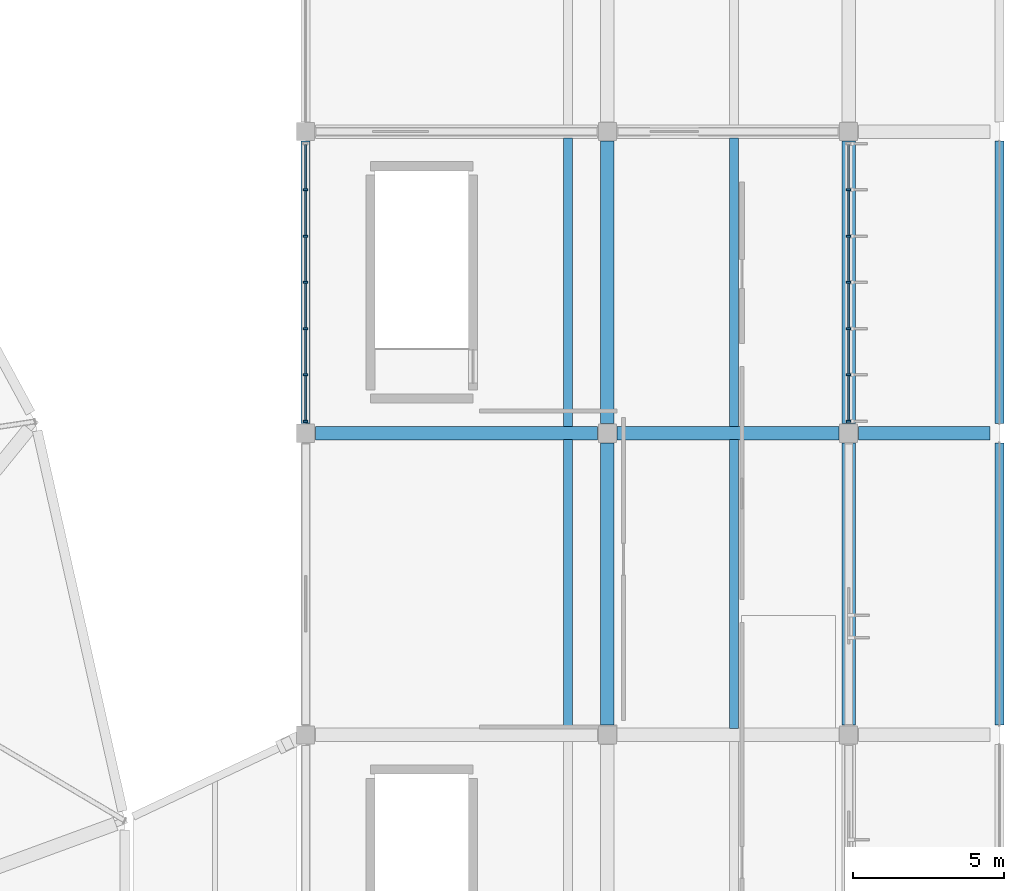
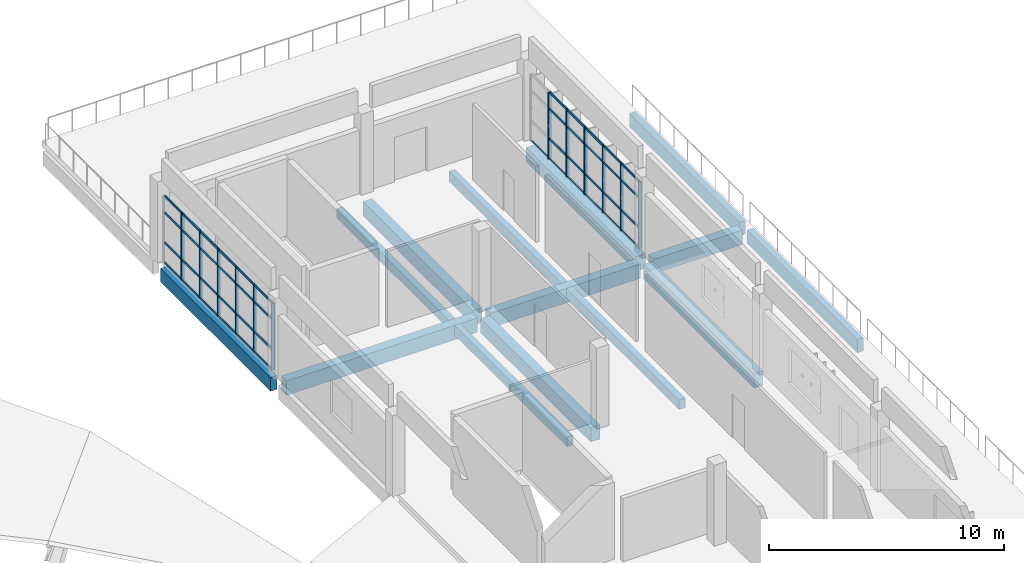
# One storey, part 13 of 39: 57 members, 14 beams, 2 elements without a shape of their own.
"""IFC4 building model written with IfcOpenShell, lengths in metres."""

from ifc_helpers import new_model, si_unit, direction, frame, origin, origin_2d, place, context, subcontext, project, spatial, rectangle, extrude, material, layer, layer_set, material_profile, profile_set, type_object, element, aggregate, save


model = new_model("IFC4")

# Units and contexts
model_context = context("Model", 3, precision=1e-05, world=origin(), true_north=direction((0.0, 1.0)))
body_context = subcontext(model_context, "Body", "Model", "MODEL_VIEW")
ifc_project = project(units=[si_unit("LENGTHUNIT", "METRE"), si_unit("AREAUNIT", "SQUARE_METRE"), si_unit("VOLUMEUNIT", "CUBIC_METRE"), si_unit("PLANEANGLEUNIT", "RADIAN"), si_unit("MASSUNIT", "GRAM", prefix="KILO")], contexts=[model_context])

# Site, building, storey
site_placement = place(None, origin())
site = spatial("IfcSite", under=ifc_project, at=site_placement, CompositionType="ELEMENT")
building_placement = place(site_placement, origin())
building = spatial("IfcBuilding", under=site, at=building_placement, Name="Corvandel Quay Wholesale Market", CompositionType="ELEMENT")
storey_placement = place(building_placement, frame((0.0, 0.0, 15.0)))
storey = spatial("IfcBuildingStorey", under=building, at=storey_placement, Name="L03", CompositionType="ELEMENT", Elevation=15.0)

# Curtain wall, members
ifc_material_1 = material(Name="Bronze anodised aluminium and low-E insulated glazing", Category="aluminium")
ifc_layer_1 = layer(ifc_material_1, 0.14990234375)
ifc_layer_set_1 = layer_set([ifc_layer_1], Name="Bronze anodised aluminium and low-E insulated glazing")
curtain_wall_type_1 = type_object("IfcCurtainWallType", Name="Stick Curtain Wall System CW20 H4800", PredefinedType="NOTDEFINED", material=ifc_layer_set_1)
curtain_wall_1_placement = place(storey_placement, origin())
curtain_wall_1 = element("IfcCurtainWall", 1, at=curtain_wall_1_placement, inside=storey, type_object=curtain_wall_type_1, Name="Curtain Wall CW-0166", PredefinedType="NOTDEFINED")
ifc_material_2 = material(Name="Anodised aluminium 6063-T6", Category="aluminium")
ifc_material_profile_1 = material_profile(ifc_material_2, rectangle(XDim=0.06494140625, YDim=0.14990234375, at=origin_2d()), Name="ALU-MUL-65x150")
ifc_profile_set_1 = profile_set([ifc_material_profile_1], Name="Anodised aluminium 6063-T6")
member_type_1 = type_object("IfcMemberType", Name="Curtain Wall Mullion ML02 65x150", PredefinedType="MULLION", material=ifc_profile_set_1)
member_1_placement = place(storey_placement, frame((238.0, 80.39990234375, 0.0), z_axis=(0.0, 0.0, 1.0), x_axis=(0.0, 1.0, 0.0)))
member_1 = element("IfcMember", 2, at=member_1_placement, type_object=member_type_1, Name="Mullion CW-0166-M00", PredefinedType="MULLION", context=body_context, shape_type="SweptSolid", body=[
    extrude(rectangle(XDim=0.06494140625, YDim=0.14990234375, at=origin_2d()), origin(), (0.0, 0.0, 1.0), 3.449951171875),
])
member_2_placement = place(storey_placement, frame((238.0, 81.933349609375, 0.0), z_axis=(0.0, 0.0, 1.0), x_axis=(0.0, 1.0, 0.0)))
member_2 = element("IfcMember", 3, at=member_2_placement, type_object=member_type_1, Name="Mullion CW-0166-M01", PredefinedType="MULLION", context=body_context, shape_type="SweptSolid", body=[
    extrude(rectangle(XDim=0.06494140625, YDim=0.14990234375, at=origin_2d()), origin(), (0.0, 0.0, 1.0), 3.449951171875),
])
member_3_placement = place(storey_placement, frame((238.0, 83.466796875, 0.0), z_axis=(0.0, 0.0, 1.0), x_axis=(0.0, 1.0, 0.0)))
member_3 = element("IfcMember", 4, at=member_3_placement, type_object=member_type_1, Name="Mullion CW-0166-M02", PredefinedType="MULLION", context=body_context, shape_type="SweptSolid", body=[
    extrude(rectangle(XDim=0.06494140625, YDim=0.14990234375, at=origin_2d()), origin(), (0.0, 0.0, 1.0), 3.449951171875),
])
member_4_placement = place(storey_placement, frame((238.0, 85.0, 0.0), z_axis=(0.0, 0.0, 1.0), x_axis=(0.0, 1.0, 0.0)))
member_4 = element("IfcMember", 5, at=member_4_placement, type_object=member_type_1, Name="Mullion CW-0166-M03", PredefinedType="MULLION", context=body_context, shape_type="SweptSolid", body=[
    extrude(rectangle(XDim=0.06494140625, YDim=0.14990234375, at=origin_2d()), origin(), (0.0, 0.0, 1.0), 3.449951171875),
])
member_5_placement = place(storey_placement, frame((238.0, 86.533203125, 0.0), z_axis=(0.0, 0.0, 1.0), x_axis=(0.0, 1.0, 0.0)))
member_5 = element("IfcMember", 6, at=member_5_placement, type_object=member_type_1, Name="Mullion CW-0166-M04", PredefinedType="MULLION", context=body_context, shape_type="SweptSolid", body=[
    extrude(rectangle(XDim=0.06494140625, YDim=0.14990234375, at=origin_2d()), origin(), (0.0, 0.0, 1.0), 3.449951171875),
])
member_6_placement = place(storey_placement, frame((238.0, 88.066650390625, 0.0), z_axis=(0.0, 0.0, 1.0), x_axis=(0.0, 1.0, 0.0)))
member_6 = element("IfcMember", 7, at=member_6_placement, type_object=member_type_1, Name="Mullion CW-0166-M05", PredefinedType="MULLION", context=body_context, shape_type="SweptSolid", body=[
    extrude(rectangle(XDim=0.06494140625, YDim=0.14990234375, at=origin_2d()), origin(), (0.0, 0.0, 1.0), 3.449951171875),
])

ifc_layer_2 = layer(ifc_material_1, 0.162109375)
ifc_layer_set_2 = layer_set([ifc_layer_2], Name="Bronze anodised aluminium and low-E insulated glazing")
curtain_wall_type_2 = type_object("IfcCurtainWallType", Name="Stick Curtain Wall System CW26 H5340", PredefinedType="NOTDEFINED", material=ifc_layer_set_2)
curtain_wall_2_placement = place(storey_placement, origin())
curtain_wall_2 = element("IfcCurtainWall", 8, at=curtain_wall_2_placement, inside=storey, type_object=curtain_wall_type_2, Name="Curtain Wall CW-0167", PredefinedType="NOTDEFINED")
member_7_placement = place(storey_placement, frame((220.0, 80.39990234375, 0.0), z_axis=(0.0, 0.0, 1.0), x_axis=(0.0, 1.0, 0.0)))
member_7 = element("IfcMember", 9, at=member_7_placement, type_object=member_type_1, Name="Mullion CW-0167-M00", PredefinedType="MULLION", context=body_context, shape_type="SweptSolid", body=[
    extrude(rectangle(XDim=0.06494140625, YDim=0.14990234375, at=origin_2d()), origin(), (0.0, 0.0, 1.0), 3.449951171875),
])
member_8_placement = place(storey_placement, frame((220.0, 81.933349609375, 0.0), z_axis=(0.0, 0.0, 1.0), x_axis=(0.0, 1.0, 0.0)))
member_8 = element("IfcMember", 10, at=member_8_placement, type_object=member_type_1, Name="Mullion CW-0167-M01", PredefinedType="MULLION", context=body_context, shape_type="SweptSolid", body=[
    extrude(rectangle(XDim=0.06494140625, YDim=0.14990234375, at=origin_2d()), origin(), (0.0, 0.0, 1.0), 3.449951171875),
])
member_9_placement = place(storey_placement, frame((220.0, 83.466796875, 0.0), z_axis=(0.0, 0.0, 1.0), x_axis=(0.0, 1.0, 0.0)))
member_9 = element("IfcMember", 11, at=member_9_placement, type_object=member_type_1, Name="Mullion CW-0167-M02", PredefinedType="MULLION", context=body_context, shape_type="SweptSolid", body=[
    extrude(rectangle(XDim=0.06494140625, YDim=0.14990234375, at=origin_2d()), origin(), (0.0, 0.0, 1.0), 3.449951171875),
])
member_10_placement = place(storey_placement, frame((220.0, 85.0, 0.0), z_axis=(0.0, 0.0, 1.0), x_axis=(0.0, 1.0, 0.0)))
member_10 = element("IfcMember", 12, at=member_10_placement, type_object=member_type_1, Name="Mullion CW-0167-M03", PredefinedType="MULLION", context=body_context, shape_type="SweptSolid", body=[
    extrude(rectangle(XDim=0.06494140625, YDim=0.14990234375, at=origin_2d()), origin(), (0.0, 0.0, 1.0), 3.449951171875),
])
member_11_placement = place(storey_placement, frame((220.0, 86.533203125, 0.0), z_axis=(0.0, 0.0, 1.0), x_axis=(0.0, 1.0, 0.0)))
member_11 = element("IfcMember", 13, at=member_11_placement, type_object=member_type_1, Name="Mullion CW-0167-M04", PredefinedType="MULLION", context=body_context, shape_type="SweptSolid", body=[
    extrude(rectangle(XDim=0.06494140625, YDim=0.14990234375, at=origin_2d()), origin(), (0.0, 0.0, 1.0), 3.449951171875),
])
member_12_placement = place(storey_placement, frame((220.0, 88.066650390625, 0.0), z_axis=(0.0, 0.0, 1.0), x_axis=(0.0, 1.0, 0.0)))
member_12 = element("IfcMember", 14, at=member_12_placement, type_object=member_type_1, Name="Mullion CW-0167-M05", PredefinedType="MULLION", context=body_context, shape_type="SweptSolid", body=[
    extrude(rectangle(XDim=0.06494140625, YDim=0.14990234375, at=origin_2d()), origin(), (0.0, 0.0, 1.0), 3.449951171875),
])

# Member
ifc_material_profile_2 = material_profile(ifc_material_2, rectangle(XDim=0.06005859375, YDim=0.110107421875, at=origin_2d()), Name="ALU-TRN-60x110")
ifc_profile_set_2 = profile_set([ifc_material_profile_2], Name="Anodised aluminium 6063-T6")
member_type_2 = type_object("IfcMemberType", Name="Curtain Wall Transom TR02 60x110", PredefinedType="USERDEFINED", material=ifc_profile_set_2)
member_13_placement = place(storey_placement, frame((238.0, 80.4326171875, 0.0), z_axis=(0.0, 1.0, 0.0), x_axis=(-1.0, 0.0, 0.0)))
member_13 = element("IfcMember", 15, at=member_13_placement, type_object=member_type_2, Name="Transom CW-0166-T00-0", ObjectType="TRANSOM", PredefinedType="USERDEFINED", context=body_context, shape_type="SweptSolid", body=[
    extrude(rectangle(XDim=0.06005859375, YDim=0.110107421875, at=origin_2d()), origin(), (0.0, 0.0, 1.0), 1.46826171875),
])

member_14_placement = place(storey_placement, frame((238.0, 80.4326171875, 1.050048828125), z_axis=(0.0, 1.0, 0.0), x_axis=(-1.0, 0.0, 0.0)))
member_14 = element("IfcMember", 16, at=member_14_placement, type_object=member_type_2, Name="Transom CW-0166-T00-1", ObjectType="TRANSOM", PredefinedType="USERDEFINED", context=body_context, shape_type="SweptSolid", body=[
    extrude(rectangle(XDim=0.06005859375, YDim=0.110107421875, at=origin_2d()), origin(), (0.0, 0.0, 1.0), 1.46826171875),
])

member_15_placement = place(storey_placement, frame((238.0, 80.4326171875, 2.60009765625), z_axis=(0.0, 1.0, 0.0), x_axis=(-1.0, 0.0, 0.0)))
member_15 = element("IfcMember", 17, at=member_15_placement, type_object=member_type_2, Name="Transom CW-0166-T00-2", ObjectType="TRANSOM", PredefinedType="USERDEFINED", context=body_context, shape_type="SweptSolid", body=[
    extrude(rectangle(XDim=0.06005859375, YDim=0.110107421875, at=origin_2d()), origin(), (0.0, 0.0, 1.0), 1.46826171875),
])

member_16_placement = place(storey_placement, frame((238.0, 80.4326171875, 3.449951171875), z_axis=(0.0, 1.0, 0.0), x_axis=(-1.0, 0.0, 0.0)))
member_16 = element("IfcMember", 18, at=member_16_placement, type_object=member_type_2, Name="Transom CW-0166-T00-3", ObjectType="TRANSOM", PredefinedType="USERDEFINED", context=body_context, shape_type="SweptSolid", body=[
    extrude(rectangle(XDim=0.06005859375, YDim=0.110107421875, at=origin_2d()), origin(), (0.0, 0.0, 1.0), 1.46826171875),
])

member_17_placement = place(storey_placement, frame((238.0, 81.9658203125, 0.0), z_axis=(0.0, 1.0, 0.0), x_axis=(-1.0, 0.0, 0.0)))
member_17 = element("IfcMember", 19, at=member_17_placement, type_object=member_type_2, Name="Transom CW-0166-T01-0", ObjectType="TRANSOM", PredefinedType="USERDEFINED", context=body_context, shape_type="SweptSolid", body=[
    extrude(rectangle(XDim=0.06005859375, YDim=0.110107421875, at=origin_2d()), origin(), (0.0, 0.0, 1.0), 1.46826171875),
])

member_18_placement = place(storey_placement, frame((238.0, 81.9658203125, 1.050048828125), z_axis=(0.0, 1.0, 0.0), x_axis=(-1.0, 0.0, 0.0)))
member_18 = element("IfcMember", 20, at=member_18_placement, type_object=member_type_2, Name="Transom CW-0166-T01-1", ObjectType="TRANSOM", PredefinedType="USERDEFINED", context=body_context, shape_type="SweptSolid", body=[
    extrude(rectangle(XDim=0.06005859375, YDim=0.110107421875, at=origin_2d()), origin(), (0.0, 0.0, 1.0), 1.46826171875),
])

member_19_placement = place(storey_placement, frame((238.0, 81.9658203125, 2.60009765625), z_axis=(0.0, 1.0, 0.0), x_axis=(-1.0, 0.0, 0.0)))
member_19 = element("IfcMember", 21, at=member_19_placement, type_object=member_type_2, Name="Transom CW-0166-T01-2", ObjectType="TRANSOM", PredefinedType="USERDEFINED", context=body_context, shape_type="SweptSolid", body=[
    extrude(rectangle(XDim=0.06005859375, YDim=0.110107421875, at=origin_2d()), origin(), (0.0, 0.0, 1.0), 1.46826171875),
])

member_20_placement = place(storey_placement, frame((238.0, 81.9658203125, 3.449951171875), z_axis=(0.0, 1.0, 0.0), x_axis=(-1.0, 0.0, 0.0)))
member_20 = element("IfcMember", 22, at=member_20_placement, type_object=member_type_2, Name="Transom CW-0166-T01-3", ObjectType="TRANSOM", PredefinedType="USERDEFINED", context=body_context, shape_type="SweptSolid", body=[
    extrude(rectangle(XDim=0.06005859375, YDim=0.110107421875, at=origin_2d()), origin(), (0.0, 0.0, 1.0), 1.46826171875),
])

member_21_placement = place(storey_placement, frame((238.0, 83.499267578125, 0.0), z_axis=(0.0, 1.0, 0.0), x_axis=(-1.0, 0.0, 0.0)))
member_21 = element("IfcMember", 23, at=member_21_placement, type_object=member_type_2, Name="Transom CW-0166-T02-0", ObjectType="TRANSOM", PredefinedType="USERDEFINED", context=body_context, shape_type="SweptSolid", body=[
    extrude(rectangle(XDim=0.06005859375, YDim=0.110107421875, at=origin_2d()), origin(), (0.0, 0.0, 1.0), 1.46826171875),
])

member_22_placement = place(storey_placement, frame((238.0, 83.499267578125, 1.050048828125), z_axis=(0.0, 1.0, 0.0), x_axis=(-1.0, 0.0, 0.0)))
member_22 = element("IfcMember", 24, at=member_22_placement, type_object=member_type_2, Name="Transom CW-0166-T02-1", ObjectType="TRANSOM", PredefinedType="USERDEFINED", context=body_context, shape_type="SweptSolid", body=[
    extrude(rectangle(XDim=0.06005859375, YDim=0.110107421875, at=origin_2d()), origin(), (0.0, 0.0, 1.0), 1.46826171875),
])

member_23_placement = place(storey_placement, frame((238.0, 83.499267578125, 2.60009765625), z_axis=(0.0, 1.0, 0.0), x_axis=(-1.0, 0.0, 0.0)))
member_23 = element("IfcMember", 25, at=member_23_placement, type_object=member_type_2, Name="Transom CW-0166-T02-2", ObjectType="TRANSOM", PredefinedType="USERDEFINED", context=body_context, shape_type="SweptSolid", body=[
    extrude(rectangle(XDim=0.06005859375, YDim=0.110107421875, at=origin_2d()), origin(), (0.0, 0.0, 1.0), 1.46826171875),
])

member_24_placement = place(storey_placement, frame((238.0, 83.499267578125, 3.449951171875), z_axis=(0.0, 1.0, 0.0), x_axis=(-1.0, 0.0, 0.0)))
member_24 = element("IfcMember", 26, at=member_24_placement, type_object=member_type_2, Name="Transom CW-0166-T02-3", ObjectType="TRANSOM", PredefinedType="USERDEFINED", context=body_context, shape_type="SweptSolid", body=[
    extrude(rectangle(XDim=0.06005859375, YDim=0.110107421875, at=origin_2d()), origin(), (0.0, 0.0, 1.0), 1.46826171875),
])

member_25_placement = place(storey_placement, frame((238.0, 85.032470703125, 0.0), z_axis=(0.0, 1.0, 0.0), x_axis=(-1.0, 0.0, 0.0)))
member_25 = element("IfcMember", 27, at=member_25_placement, type_object=member_type_2, Name="Transom CW-0166-T03-0", ObjectType="TRANSOM", PredefinedType="USERDEFINED", context=body_context, shape_type="SweptSolid", body=[
    extrude(rectangle(XDim=0.06005859375, YDim=0.110107421875, at=origin_2d()), origin(), (0.0, 0.0, 1.0), 1.46826171875),
])

member_26_placement = place(storey_placement, frame((238.0, 85.032470703125, 1.050048828125), z_axis=(0.0, 1.0, 0.0), x_axis=(-1.0, 0.0, 0.0)))
member_26 = element("IfcMember", 28, at=member_26_placement, type_object=member_type_2, Name="Transom CW-0166-T03-1", ObjectType="TRANSOM", PredefinedType="USERDEFINED", context=body_context, shape_type="SweptSolid", body=[
    extrude(rectangle(XDim=0.06005859375, YDim=0.110107421875, at=origin_2d()), origin(), (0.0, 0.0, 1.0), 1.46826171875),
])

member_27_placement = place(storey_placement, frame((238.0, 85.032470703125, 2.60009765625), z_axis=(0.0, 1.0, 0.0), x_axis=(-1.0, 0.0, 0.0)))
member_27 = element("IfcMember", 29, at=member_27_placement, type_object=member_type_2, Name="Transom CW-0166-T03-2", ObjectType="TRANSOM", PredefinedType="USERDEFINED", context=body_context, shape_type="SweptSolid", body=[
    extrude(rectangle(XDim=0.06005859375, YDim=0.110107421875, at=origin_2d()), origin(), (0.0, 0.0, 1.0), 1.46826171875),
])

member_28_placement = place(storey_placement, frame((238.0, 85.032470703125, 3.449951171875), z_axis=(0.0, 1.0, 0.0), x_axis=(-1.0, 0.0, 0.0)))
member_28 = element("IfcMember", 30, at=member_28_placement, type_object=member_type_2, Name="Transom CW-0166-T03-3", ObjectType="TRANSOM", PredefinedType="USERDEFINED", context=body_context, shape_type="SweptSolid", body=[
    extrude(rectangle(XDim=0.06005859375, YDim=0.110107421875, at=origin_2d()), origin(), (0.0, 0.0, 1.0), 1.46826171875),
])

member_29_placement = place(storey_placement, frame((238.0, 86.56591796875, 0.0), z_axis=(0.0, 1.0, 0.0), x_axis=(-1.0, 0.0, 0.0)))
member_29 = element("IfcMember", 31, at=member_29_placement, type_object=member_type_2, Name="Transom CW-0166-T04-0", ObjectType="TRANSOM", PredefinedType="USERDEFINED", context=body_context, shape_type="SweptSolid", body=[
    extrude(rectangle(XDim=0.06005859375, YDim=0.110107421875, at=origin_2d()), origin(), (0.0, 0.0, 1.0), 1.46826171875),
])

member_30_placement = place(storey_placement, frame((238.0, 86.56591796875, 1.050048828125), z_axis=(0.0, 1.0, 0.0), x_axis=(-1.0, 0.0, 0.0)))
member_30 = element("IfcMember", 32, at=member_30_placement, type_object=member_type_2, Name="Transom CW-0166-T04-1", ObjectType="TRANSOM", PredefinedType="USERDEFINED", context=body_context, shape_type="SweptSolid", body=[
    extrude(rectangle(XDim=0.06005859375, YDim=0.110107421875, at=origin_2d()), origin(), (0.0, 0.0, 1.0), 1.46826171875),
])

member_31_placement = place(storey_placement, frame((238.0, 86.56591796875, 2.60009765625), z_axis=(0.0, 1.0, 0.0), x_axis=(-1.0, 0.0, 0.0)))
member_31 = element("IfcMember", 33, at=member_31_placement, type_object=member_type_2, Name="Transom CW-0166-T04-2", ObjectType="TRANSOM", PredefinedType="USERDEFINED", context=body_context, shape_type="SweptSolid", body=[
    extrude(rectangle(XDim=0.06005859375, YDim=0.110107421875, at=origin_2d()), origin(), (0.0, 0.0, 1.0), 1.46826171875),
])

member_32_placement = place(storey_placement, frame((238.0, 86.56591796875, 3.449951171875), z_axis=(0.0, 1.0, 0.0), x_axis=(-1.0, 0.0, 0.0)))
member_32 = element("IfcMember", 34, at=member_32_placement, type_object=member_type_2, Name="Transom CW-0166-T04-3", ObjectType="TRANSOM", PredefinedType="USERDEFINED", context=body_context, shape_type="SweptSolid", body=[
    extrude(rectangle(XDim=0.06005859375, YDim=0.110107421875, at=origin_2d()), origin(), (0.0, 0.0, 1.0), 1.46826171875),
])

member_33_placement = place(storey_placement, frame((238.0, 88.09912109375, 0.0), z_axis=(0.0, 1.0, 0.0), x_axis=(-1.0, 0.0, 0.0)))
member_33 = element("IfcMember", 35, at=member_33_placement, type_object=member_type_2, Name="Transom CW-0166-T05-0", ObjectType="TRANSOM", PredefinedType="USERDEFINED", context=body_context, shape_type="SweptSolid", body=[
    extrude(rectangle(XDim=0.06005859375, YDim=0.110107421875, at=origin_2d()), origin(), (0.0, 0.0, 1.0), 1.46826171875),
])

aggregate(curtain_wall_1, [member_1, member_2, member_3, member_4, member_5, member_6, member_13, member_14, member_15, member_16, member_17, member_18, member_19, member_20, member_21, member_22, member_23, member_24, member_25, member_26, member_27, member_28, member_29, member_30, member_31, member_32, member_33])

member_34_placement = place(storey_placement, frame((220.0, 80.4326171875, 0.0), z_axis=(0.0, 1.0, 0.0), x_axis=(-1.0, 0.0, 0.0)))
member_34 = element("IfcMember", 36, at=member_34_placement, type_object=member_type_2, Name="Transom CW-0167-T00-0", ObjectType="TRANSOM", PredefinedType="USERDEFINED", context=body_context, shape_type="SweptSolid", body=[
    extrude(rectangle(XDim=0.06005859375, YDim=0.110107421875, at=origin_2d()), origin(), (0.0, 0.0, 1.0), 1.46826171875),
])

member_35_placement = place(storey_placement, frame((220.0, 80.4326171875, 1.050048828125), z_axis=(0.0, 1.0, 0.0), x_axis=(-1.0, 0.0, 0.0)))
member_35 = element("IfcMember", 37, at=member_35_placement, type_object=member_type_2, Name="Transom CW-0167-T00-1", ObjectType="TRANSOM", PredefinedType="USERDEFINED", context=body_context, shape_type="SweptSolid", body=[
    extrude(rectangle(XDim=0.06005859375, YDim=0.110107421875, at=origin_2d()), origin(), (0.0, 0.0, 1.0), 1.46826171875),
])

member_36_placement = place(storey_placement, frame((220.0, 80.4326171875, 2.60009765625), z_axis=(0.0, 1.0, 0.0), x_axis=(-1.0, 0.0, 0.0)))
member_36 = element("IfcMember", 38, at=member_36_placement, type_object=member_type_2, Name="Transom CW-0167-T00-2", ObjectType="TRANSOM", PredefinedType="USERDEFINED", context=body_context, shape_type="SweptSolid", body=[
    extrude(rectangle(XDim=0.06005859375, YDim=0.110107421875, at=origin_2d()), origin(), (0.0, 0.0, 1.0), 1.46826171875),
])

member_37_placement = place(storey_placement, frame((220.0, 80.4326171875, 3.449951171875), z_axis=(0.0, 1.0, 0.0), x_axis=(-1.0, 0.0, 0.0)))
member_37 = element("IfcMember", 39, at=member_37_placement, type_object=member_type_2, Name="Transom CW-0167-T00-3", ObjectType="TRANSOM", PredefinedType="USERDEFINED", context=body_context, shape_type="SweptSolid", body=[
    extrude(rectangle(XDim=0.06005859375, YDim=0.110107421875, at=origin_2d()), origin(), (0.0, 0.0, 1.0), 1.46826171875),
])

member_38_placement = place(storey_placement, frame((220.0, 81.9658203125, 0.0), z_axis=(0.0, 1.0, 0.0), x_axis=(-1.0, 0.0, 0.0)))
member_38 = element("IfcMember", 40, at=member_38_placement, type_object=member_type_2, Name="Transom CW-0167-T01-0", ObjectType="TRANSOM", PredefinedType="USERDEFINED", context=body_context, shape_type="SweptSolid", body=[
    extrude(rectangle(XDim=0.06005859375, YDim=0.110107421875, at=origin_2d()), origin(), (0.0, 0.0, 1.0), 1.46826171875),
])

member_39_placement = place(storey_placement, frame((220.0, 81.9658203125, 1.050048828125), z_axis=(0.0, 1.0, 0.0), x_axis=(-1.0, 0.0, 0.0)))
member_39 = element("IfcMember", 41, at=member_39_placement, type_object=member_type_2, Name="Transom CW-0167-T01-1", ObjectType="TRANSOM", PredefinedType="USERDEFINED", context=body_context, shape_type="SweptSolid", body=[
    extrude(rectangle(XDim=0.06005859375, YDim=0.110107421875, at=origin_2d()), origin(), (0.0, 0.0, 1.0), 1.46826171875),
])

member_40_placement = place(storey_placement, frame((220.0, 81.9658203125, 2.60009765625), z_axis=(0.0, 1.0, 0.0), x_axis=(-1.0, 0.0, 0.0)))
member_40 = element("IfcMember", 42, at=member_40_placement, type_object=member_type_2, Name="Transom CW-0167-T01-2", ObjectType="TRANSOM", PredefinedType="USERDEFINED", context=body_context, shape_type="SweptSolid", body=[
    extrude(rectangle(XDim=0.06005859375, YDim=0.110107421875, at=origin_2d()), origin(), (0.0, 0.0, 1.0), 1.46826171875),
])

member_41_placement = place(storey_placement, frame((220.0, 81.9658203125, 3.449951171875), z_axis=(0.0, 1.0, 0.0), x_axis=(-1.0, 0.0, 0.0)))
member_41 = element("IfcMember", 43, at=member_41_placement, type_object=member_type_2, Name="Transom CW-0167-T01-3", ObjectType="TRANSOM", PredefinedType="USERDEFINED", context=body_context, shape_type="SweptSolid", body=[
    extrude(rectangle(XDim=0.06005859375, YDim=0.110107421875, at=origin_2d()), origin(), (0.0, 0.0, 1.0), 1.46826171875),
])

member_42_placement = place(storey_placement, frame((220.0, 83.499267578125, 0.0), z_axis=(0.0, 1.0, 0.0), x_axis=(-1.0, 0.0, 0.0)))
member_42 = element("IfcMember", 44, at=member_42_placement, type_object=member_type_2, Name="Transom CW-0167-T02-0", ObjectType="TRANSOM", PredefinedType="USERDEFINED", context=body_context, shape_type="SweptSolid", body=[
    extrude(rectangle(XDim=0.06005859375, YDim=0.110107421875, at=origin_2d()), origin(), (0.0, 0.0, 1.0), 1.46826171875),
])

member_43_placement = place(storey_placement, frame((220.0, 83.499267578125, 1.050048828125), z_axis=(0.0, 1.0, 0.0), x_axis=(-1.0, 0.0, 0.0)))
member_43 = element("IfcMember", 45, at=member_43_placement, type_object=member_type_2, Name="Transom CW-0167-T02-1", ObjectType="TRANSOM", PredefinedType="USERDEFINED", context=body_context, shape_type="SweptSolid", body=[
    extrude(rectangle(XDim=0.06005859375, YDim=0.110107421875, at=origin_2d()), origin(), (0.0, 0.0, 1.0), 1.46826171875),
])

member_44_placement = place(storey_placement, frame((220.0, 83.499267578125, 2.60009765625), z_axis=(0.0, 1.0, 0.0), x_axis=(-1.0, 0.0, 0.0)))
member_44 = element("IfcMember", 46, at=member_44_placement, type_object=member_type_2, Name="Transom CW-0167-T02-2", ObjectType="TRANSOM", PredefinedType="USERDEFINED", context=body_context, shape_type="SweptSolid", body=[
    extrude(rectangle(XDim=0.06005859375, YDim=0.110107421875, at=origin_2d()), origin(), (0.0, 0.0, 1.0), 1.46826171875),
])

member_45_placement = place(storey_placement, frame((220.0, 83.499267578125, 3.449951171875), z_axis=(0.0, 1.0, 0.0), x_axis=(-1.0, 0.0, 0.0)))
member_45 = element("IfcMember", 47, at=member_45_placement, type_object=member_type_2, Name="Transom CW-0167-T02-3", ObjectType="TRANSOM", PredefinedType="USERDEFINED", context=body_context, shape_type="SweptSolid", body=[
    extrude(rectangle(XDim=0.06005859375, YDim=0.110107421875, at=origin_2d()), origin(), (0.0, 0.0, 1.0), 1.46826171875),
])

member_46_placement = place(storey_placement, frame((220.0, 85.032470703125, 0.0), z_axis=(0.0, 1.0, 0.0), x_axis=(-1.0, 0.0, 0.0)))
member_46 = element("IfcMember", 48, at=member_46_placement, type_object=member_type_2, Name="Transom CW-0167-T03-0", ObjectType="TRANSOM", PredefinedType="USERDEFINED", context=body_context, shape_type="SweptSolid", body=[
    extrude(rectangle(XDim=0.06005859375, YDim=0.110107421875, at=origin_2d()), origin(), (0.0, 0.0, 1.0), 1.46826171875),
])

member_47_placement = place(storey_placement, frame((220.0, 85.032470703125, 1.050048828125), z_axis=(0.0, 1.0, 0.0), x_axis=(-1.0, 0.0, 0.0)))
member_47 = element("IfcMember", 49, at=member_47_placement, type_object=member_type_2, Name="Transom CW-0167-T03-1", ObjectType="TRANSOM", PredefinedType="USERDEFINED", context=body_context, shape_type="SweptSolid", body=[
    extrude(rectangle(XDim=0.06005859375, YDim=0.110107421875, at=origin_2d()), origin(), (0.0, 0.0, 1.0), 1.46826171875),
])

member_48_placement = place(storey_placement, frame((220.0, 85.032470703125, 2.60009765625), z_axis=(0.0, 1.0, 0.0), x_axis=(-1.0, 0.0, 0.0)))
member_48 = element("IfcMember", 50, at=member_48_placement, type_object=member_type_2, Name="Transom CW-0167-T03-2", ObjectType="TRANSOM", PredefinedType="USERDEFINED", context=body_context, shape_type="SweptSolid", body=[
    extrude(rectangle(XDim=0.06005859375, YDim=0.110107421875, at=origin_2d()), origin(), (0.0, 0.0, 1.0), 1.46826171875),
])

member_49_placement = place(storey_placement, frame((220.0, 85.032470703125, 3.449951171875), z_axis=(0.0, 1.0, 0.0), x_axis=(-1.0, 0.0, 0.0)))
member_49 = element("IfcMember", 51, at=member_49_placement, type_object=member_type_2, Name="Transom CW-0167-T03-3", ObjectType="TRANSOM", PredefinedType="USERDEFINED", context=body_context, shape_type="SweptSolid", body=[
    extrude(rectangle(XDim=0.06005859375, YDim=0.110107421875, at=origin_2d()), origin(), (0.0, 0.0, 1.0), 1.46826171875),
])

member_50_placement = place(storey_placement, frame((220.0, 86.56591796875, 0.0), z_axis=(0.0, 1.0, 0.0), x_axis=(-1.0, 0.0, 0.0)))
member_50 = element("IfcMember", 52, at=member_50_placement, type_object=member_type_2, Name="Transom CW-0167-T04-0", ObjectType="TRANSOM", PredefinedType="USERDEFINED", context=body_context, shape_type="SweptSolid", body=[
    extrude(rectangle(XDim=0.06005859375, YDim=0.110107421875, at=origin_2d()), origin(), (0.0, 0.0, 1.0), 1.46826171875),
])

member_51_placement = place(storey_placement, frame((220.0, 86.56591796875, 1.050048828125), z_axis=(0.0, 1.0, 0.0), x_axis=(-1.0, 0.0, 0.0)))
member_51 = element("IfcMember", 53, at=member_51_placement, type_object=member_type_2, Name="Transom CW-0167-T04-1", ObjectType="TRANSOM", PredefinedType="USERDEFINED", context=body_context, shape_type="SweptSolid", body=[
    extrude(rectangle(XDim=0.06005859375, YDim=0.110107421875, at=origin_2d()), origin(), (0.0, 0.0, 1.0), 1.46826171875),
])

member_52_placement = place(storey_placement, frame((220.0, 86.56591796875, 2.60009765625), z_axis=(0.0, 1.0, 0.0), x_axis=(-1.0, 0.0, 0.0)))
member_52 = element("IfcMember", 54, at=member_52_placement, type_object=member_type_2, Name="Transom CW-0167-T04-2", ObjectType="TRANSOM", PredefinedType="USERDEFINED", context=body_context, shape_type="SweptSolid", body=[
    extrude(rectangle(XDim=0.06005859375, YDim=0.110107421875, at=origin_2d()), origin(), (0.0, 0.0, 1.0), 1.46826171875),
])

member_53_placement = place(storey_placement, frame((220.0, 86.56591796875, 3.449951171875), z_axis=(0.0, 1.0, 0.0), x_axis=(-1.0, 0.0, 0.0)))
member_53 = element("IfcMember", 55, at=member_53_placement, type_object=member_type_2, Name="Transom CW-0167-T04-3", ObjectType="TRANSOM", PredefinedType="USERDEFINED", context=body_context, shape_type="SweptSolid", body=[
    extrude(rectangle(XDim=0.06005859375, YDim=0.110107421875, at=origin_2d()), origin(), (0.0, 0.0, 1.0), 1.46826171875),
])

member_54_placement = place(storey_placement, frame((220.0, 88.09912109375, 0.0), z_axis=(0.0, 1.0, 0.0), x_axis=(-1.0, 0.0, 0.0)))
member_54 = element("IfcMember", 56, at=member_54_placement, type_object=member_type_2, Name="Transom CW-0167-T05-0", ObjectType="TRANSOM", PredefinedType="USERDEFINED", context=body_context, shape_type="SweptSolid", body=[
    extrude(rectangle(XDim=0.06005859375, YDim=0.110107421875, at=origin_2d()), origin(), (0.0, 0.0, 1.0), 1.46826171875),
])

member_55_placement = place(storey_placement, frame((220.0, 88.09912109375, 1.050048828125), z_axis=(0.0, 1.0, 0.0), x_axis=(-1.0, 0.0, 0.0)))
member_55 = element("IfcMember", 57, at=member_55_placement, type_object=member_type_2, Name="Transom CW-0167-T05-1", ObjectType="TRANSOM", PredefinedType="USERDEFINED", context=body_context, shape_type="SweptSolid", body=[
    extrude(rectangle(XDim=0.06005859375, YDim=0.110107421875, at=origin_2d()), origin(), (0.0, 0.0, 1.0), 1.46826171875),
])

member_56_placement = place(storey_placement, frame((220.0, 88.09912109375, 2.60009765625), z_axis=(0.0, 1.0, 0.0), x_axis=(-1.0, 0.0, 0.0)))
member_56 = element("IfcMember", 58, at=member_56_placement, type_object=member_type_2, Name="Transom CW-0167-T05-2", ObjectType="TRANSOM", PredefinedType="USERDEFINED", context=body_context, shape_type="SweptSolid", body=[
    extrude(rectangle(XDim=0.06005859375, YDim=0.110107421875, at=origin_2d()), origin(), (0.0, 0.0, 1.0), 1.46826171875),
])

member_57_placement = place(storey_placement, frame((220.0, 88.09912109375, 3.449951171875), z_axis=(0.0, 1.0, 0.0), x_axis=(-1.0, 0.0, 0.0)))
member_57 = element("IfcMember", 59, at=member_57_placement, type_object=member_type_2, Name="Transom CW-0167-T05-3", ObjectType="TRANSOM", PredefinedType="USERDEFINED", context=body_context, shape_type="SweptSolid", body=[
    extrude(rectangle(XDim=0.06005859375, YDim=0.110107421875, at=origin_2d()), origin(), (0.0, 0.0, 1.0), 1.46826171875),
])

aggregate(curtain_wall_2, [member_7, member_8, member_9, member_10, member_11, member_12, member_34, member_35, member_36, member_37, member_38, member_39, member_40, member_41, member_42, member_43, member_44, member_45, member_46, member_47, member_48, member_49, member_50, member_51, member_52, member_53, member_54, member_55, member_56, member_57])

# Beams
ifc_material_3 = material(Name="Precast concrete C45/55", Category="concrete")
ifc_material_profile_3 = material_profile(ifc_material_3, rectangle(XDim=0.300048828125, YDim=0.5, at=origin_2d()), Name="PC-BM-300x500")
ifc_profile_set_3 = profile_set([ifc_material_profile_3], Name="Precast concrete C45/55")
beam_type_1 = type_object("IfcBeamType", Name="Office Floor Secondary Beam B04 300x500", PredefinedType="BEAM", material=ifc_profile_set_3)
for number, where, z_axis, x_axis, name in (
    (60, (228.699951171875, 70.215087890625, -0.570068359375), (0.0, 1.0, 0.0), (-1.0, 0.0, 0.0), "Beam BM-1690"),
    (61, (234.199951171875, 70.215087890625, -0.570068359375), (0.0, 1.0, 0.0), (-1.0, 0.0, 0.0), "Beam BM-1691"),
    (62, (228.699951171875, 80.215087890625, -0.570068359375), (0.0, 1.0, 0.0), (-1.0, 0.0, 0.0), "Beam BM-1692"),
    (63, (234.199951171875, 80.215087890625, -0.570068359375), (0.0, 1.0, 0.0), (-1.0, 0.0, 0.0), "Beam BM-1693"),
):
    element("IfcBeam", number, at=place(storey_placement, frame(where, z_axis=z_axis, x_axis=x_axis)), inside=storey, type_object=beam_type_1, Name=name, PredefinedType="BEAM", context=body_context, shape_type="SweptSolid", body=[
        extrude(rectangle(XDim=0.300048828125, YDim=0.5, at=origin_2d()), origin(), (0.0, 0.0, 1.0), 9.56982421875),
    ])
ifc_material_profile_4 = material_profile(ifc_material_3, rectangle(XDim=0.300048828125, YDim=0.699951171875, at=origin_2d()), Name="PC-SPN-300x700")
ifc_profile_set_4 = profile_set([ifc_material_profile_4], Name="Precast concrete C45/55")
beam_type_2 = type_object("IfcBeamType", Name="Terrace Edge Spandrel SP03 300x700", PredefinedType="SPANDREL", material=ifc_profile_set_4)
for number, where, z_axis, x_axis, name in (
    (64, (220.0, 80.320068359375, -0.669921875), (0.0, 1.0, 0.0), (-1.0, 0.0, 0.0), "Beam BM-1649"),
    (65, (243.0, 70.320068359375, -0.669921875), (0.0, 1.0, 0.0), (-1.0, 0.0, 0.0), "Beam BM-1675"),
    (66, (243.0, 80.320068359375, -0.669921875), (0.0, 1.0, 0.0), (-1.0, 0.0, 0.0), "Beam BM-1676"),
):
    element("IfcBeam", number, at=place(storey_placement, frame(where, z_axis=z_axis, x_axis=x_axis)), inside=storey, type_object=beam_type_2, Name=name, PredefinedType="SPANDREL", context=body_context, shape_type="SweptSolid", body=[
        extrude(rectangle(XDim=0.300048828125, YDim=0.699951171875, at=origin_2d()), origin(), (0.0, 0.0, 1.0), 9.35986328125),
    ])
ifc_material_profile_5 = material_profile(ifc_material_3, rectangle(XDim=0.449951171875, YDim=0.75, at=origin_2d()), Name="PC-GIR-450x750")
ifc_profile_set_5 = profile_set([ifc_material_profile_5], Name="Precast concrete C45/55")
beam_type_3 = type_object("IfcBeamType", Name="Waterfront Office Girder G06 450x750", PredefinedType="USERDEFINED", material=ifc_profile_set_5)
beam_1_placement = place(storey_placement, frame((220.320068359375, 80.0, -0.695068359375), z_axis=(1.0, 0.0, 0.0), x_axis=(0.0, 1.0, 0.0)))
element("IfcBeam", 67, at=beam_1_placement, inside=storey, type_object=beam_type_3, Name="Beam BM-1633", ObjectType="GIRDER", PredefinedType="USERDEFINED", context=body_context, shape_type="SweptSolid", body=[
    extrude(rectangle(XDim=0.449951171875, YDim=0.75, at=origin_2d()), origin(), (0.0, 0.0, 1.0), 9.35986328125),
])
beam_2_placement = place(storey_placement, frame((230.320068359375, 80.0, -0.695068359375), z_axis=(1.0, 0.0, 0.0), x_axis=(0.0, 1.0, 0.0)))
element("IfcBeam", 68, at=beam_2_placement, inside=storey, type_object=beam_type_3, Name="Beam BM-1634", ObjectType="GIRDER", PredefinedType="USERDEFINED", context=body_context, shape_type="SweptSolid", body=[
    extrude(rectangle(XDim=0.449951171875, YDim=0.75, at=origin_2d()), origin(), (0.0, 0.0, 1.0), 7.35986328125),
])
beam_3_placement = place(storey_placement, frame((238.320068359375, 80.0, -0.695068359375), z_axis=(1.0, 0.0, 0.0), x_axis=(0.0, 1.0, 0.0)))
element("IfcBeam", 69, at=beam_3_placement, inside=storey, type_object=beam_type_3, Name="Beam BM-1635", ObjectType="GIRDER", PredefinedType="USERDEFINED", context=body_context, shape_type="SweptSolid", body=[
    extrude(rectangle(XDim=0.449951171875, YDim=0.75, at=origin_2d()), origin(), (0.0, 0.0, 1.0), 4.35986328125),
])
for number, where, z_axis, x_axis, name in (
    (70, (230.0, 70.320068359375, -0.695068359375), (0.0, 1.0, 0.0), (-1.0, 0.0, 0.0), "Beam BM-1657"),
    (71, (230.0, 80.320068359375, -0.695068359375), (0.0, 1.0, 0.0), (-1.0, 0.0, 0.0), "Beam BM-1658"),
    (72, (238.0, 70.320068359375, -0.695068359375), (0.0, 1.0, 0.0), (-1.0, 0.0, 0.0), "Beam BM-1666"),
    (73, (238.0, 80.320068359375, -0.695068359375), (0.0, 1.0, 0.0), (-1.0, 0.0, 0.0), "Beam BM-1667"),
):
    element("IfcBeam", number, at=place(storey_placement, frame(where, z_axis=z_axis, x_axis=x_axis)), inside=storey, type_object=beam_type_3, Name=name, ObjectType="GIRDER", PredefinedType="USERDEFINED", context=body_context, shape_type="SweptSolid", body=[
        extrude(rectangle(XDim=0.449951171875, YDim=0.75, at=origin_2d()), origin(), (0.0, 0.0, 1.0), 9.35986328125),
    ])

save(model, "model.ifc")
